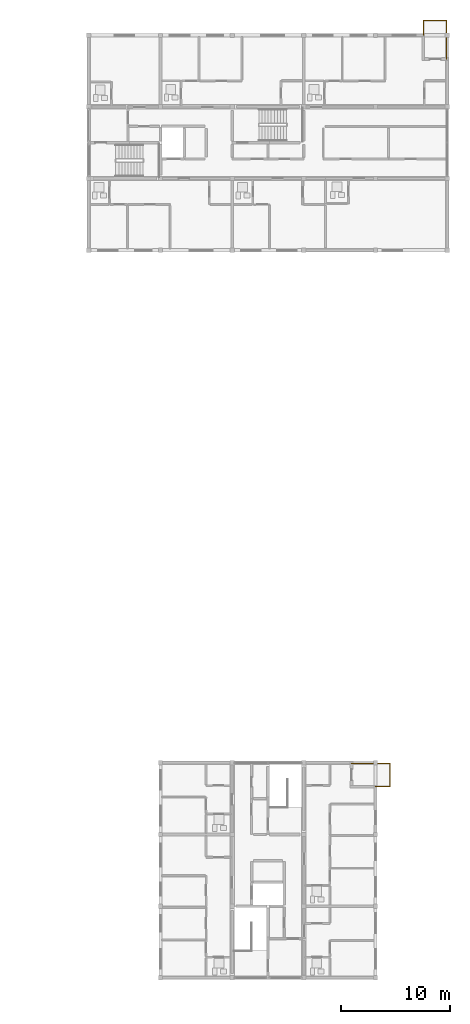
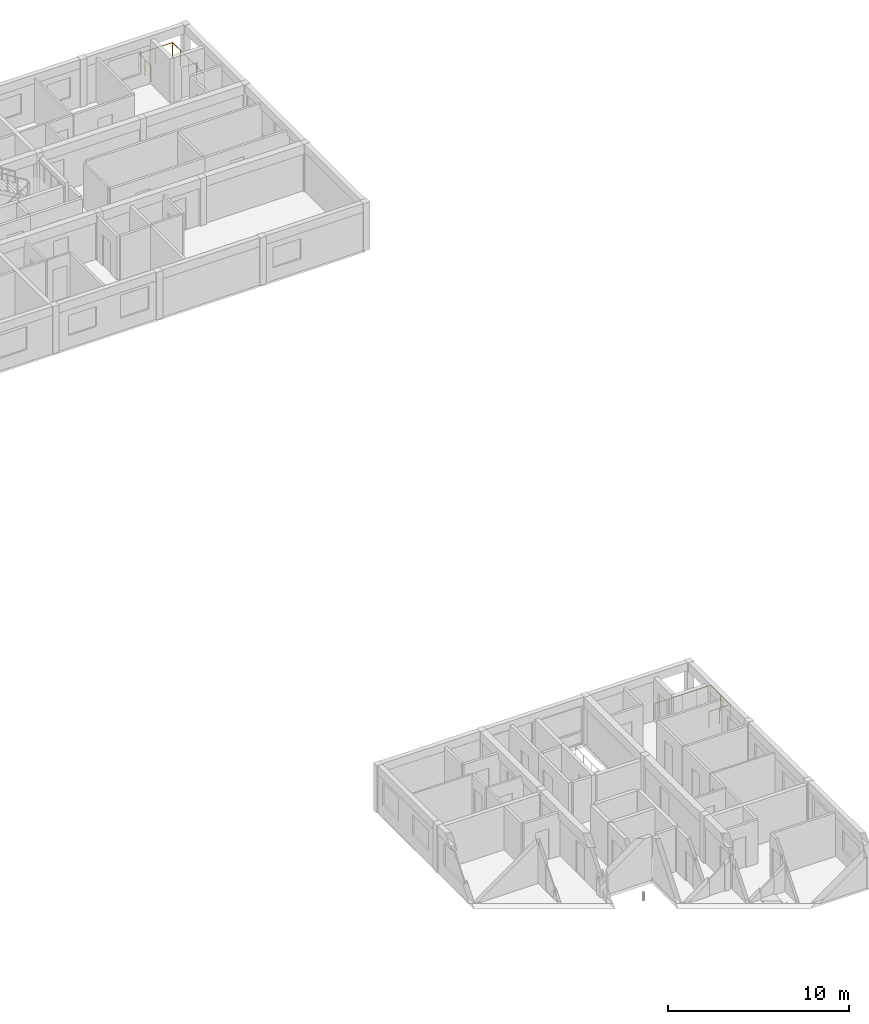
# One storey, part 33 of 34: 2 railings.
"""IFC4 building model written with IfcOpenShell, lengths in metres."""

from ifc_helpers import new_model, si_unit, direction, frame, origin, origin_2d, place, context, subcontext, project, spatial, circle, extrude, material, type_object, element, save


model = new_model("IFC4")

# Units and contexts
model_context = context("Model", 3, precision=1e-05, world=origin(), true_north=direction((0.0, 1.0)))
body_context = subcontext(model_context, "Body", "Model", "MODEL_VIEW")
ifc_project = project(units=[si_unit("LENGTHUNIT", "METRE"), si_unit("AREAUNIT", "SQUARE_METRE"), si_unit("VOLUMEUNIT", "CUBIC_METRE"), si_unit("PLANEANGLEUNIT", "RADIAN"), si_unit("MASSUNIT", "GRAM", prefix="KILO")], contexts=[model_context])

# Site, building, storey
site_placement = place(None, origin())
site = spatial("IfcSite", under=ifc_project, at=site_placement, CompositionType="ELEMENT")
building_placement = place(site_placement, origin())
building = spatial("IfcBuilding", under=site, at=building_placement, Name="Kernevlak Ridge Housing Community", CompositionType="ELEMENT")
storey_placement = place(building_placement, frame((0.0, 0.0, 40.39990234375)))
storey = spatial("IfcBuildingStorey", under=building, at=storey_placement, Name="L12", CompositionType="ELEMENT", Elevation=40.39990234375)

# Railings
ifc_material = material(Name="Steel S355", Category="steel")
railing_type = type_object("IfcRailingType", Name="BL-01", PredefinedType="BALUSTRADE", material=ifc_material)
railing_1_placement = place(storey_placement, frame((150.199951171875, 102.39990234375, 0.0)))
element("IfcRailing", 1, at=railing_1_placement, inside=storey, type_object=railing_type, Name="Block B L12 balcony balustrade BL-01 30", PredefinedType="BALUSTRADE", context=body_context, shape_type="SweptSolid", body=[
    extrude(circle(Radius=0.02392578125, at=origin_2d()), frame((0.0, 0.0, 1.076171875), z_axis=(0.0, 1.0, 0.0), x_axis=(-1.0, 0.0, 0.0)), (0.0, 0.0, 1.0), 1.35009765625),
    extrude(circle(Radius=0.02392578125, at=origin_2d()), frame((0.0, 1.35009765625, 1.076171875), z_axis=(1.0, 0.0, 0.0), x_axis=(0.0, 1.0, 0.0)), (0.0, 0.0, 1.0), 2.150146484375),
    extrude(circle(Radius=0.02392578125, at=origin_2d()), frame((2.150146484375, 1.35009765625, 1.076171875), z_axis=(0.0, -1.0, 0.0), x_axis=(1.0, 0.0, 0.0)), (0.0, 0.0, 1.0), 3.550048828125),
    extrude(circle(Radius=0.02099609375, at=origin_2d()), origin(), (0.0, 0.0, 1.0), 1.052001953125),
    extrude(circle(Radius=0.02099609375, at=origin_2d()), frame((0.0, 0.675048828125, 0.0)), (0.0, 0.0, 1.0), 1.052001953125),
    extrude(circle(Radius=0.02099609375, at=origin_2d()), frame((0.0, 1.35009765625, 0.0)), (0.0, 0.0, 1.0), 1.052001953125),
    extrude(circle(Radius=0.02099609375, at=origin_2d()), frame((1.0751953125, 1.35009765625, 0.0)), (0.0, 0.0, 1.0), 1.052001953125),
    extrude(circle(Radius=0.02099609375, at=origin_2d()), frame((2.150146484375, 1.35009765625, 0.0)), (0.0, 0.0, 1.0), 1.052001953125),
    extrude(circle(Radius=0.02099609375, at=origin_2d()), frame((2.150146484375, 0.462646484375, 0.0)), (0.0, 0.0, 1.0), 1.052001953125),
    extrude(circle(Radius=0.02099609375, at=origin_2d()), frame((2.150146484375, -0.4248046875, 0.0)), (0.0, 0.0, 1.0), 1.052001953125),
    extrude(circle(Radius=0.02099609375, at=origin_2d()), frame((2.150146484375, -1.3125, 0.0)), (0.0, 0.0, 1.0), 1.052001953125),
    extrude(circle(Radius=0.02099609375, at=origin_2d()), frame((2.150146484375, -2.199951171875, 0.0)), (0.0, 0.0, 1.0), 1.052001953125),
])
railing_2_placement = place(storey_placement, frame((145.800048828125, 33.199951171875, 0.0)))
element("IfcRailing", 2, at=railing_2_placement, inside=storey, type_object=railing_type, Name="Block C L12 balcony balustrade BL-01 46", PredefinedType="BALUSTRADE", context=body_context, shape_type="SweptSolid", body=[
    extrude(circle(Radius=0.02392578125, at=origin_2d()), frame((0.0, 0.0, 1.076171875), z_axis=(1.0, 0.0, 0.0), x_axis=(0.0, 1.0, 0.0)), (0.0, 0.0, 1.0), 1.349853515625),
    extrude(circle(Radius=0.02392578125, at=origin_2d()), frame((1.349853515625, 0.0, 1.076171875), z_axis=(0.0, 1.0, 0.0), x_axis=(-1.0, 0.0, 0.0)), (0.0, 0.0, 1.0), 2.150146484375),
    extrude(circle(Radius=0.02392578125, at=origin_2d()), frame((1.349853515625, 2.150146484375, 1.076171875), z_axis=(-1.0, 0.0, 0.0), x_axis=(0.0, -1.0, 0.0)), (0.0, 0.0, 1.0), 3.5498046875),
    extrude(circle(Radius=0.02099609375, at=origin_2d()), origin(), (0.0, 0.0, 1.0), 1.052001953125),
    extrude(circle(Radius=0.02099609375, at=origin_2d()), frame((0.6748046875, 0.0, 0.0)), (0.0, 0.0, 1.0), 1.052001953125),
    extrude(circle(Radius=0.02099609375, at=origin_2d()), frame((1.349853515625, 0.0, 0.0)), (0.0, 0.0, 1.0), 1.052001953125),
    extrude(circle(Radius=0.02099609375, at=origin_2d()), frame((1.349853515625, 1.0751953125, 0.0)), (0.0, 0.0, 1.0), 1.052001953125),
    extrude(circle(Radius=0.02099609375, at=origin_2d()), frame((1.349853515625, 2.150146484375, 0.0)), (0.0, 0.0, 1.0), 1.052001953125),
    extrude(circle(Radius=0.02099609375, at=origin_2d()), frame((0.46240234375, 2.150146484375, 0.0)), (0.0, 0.0, 1.0), 1.052001953125),
    extrude(circle(Radius=0.02099609375, at=origin_2d()), frame((-0.425048828125, 2.150146484375, 0.0)), (0.0, 0.0, 1.0), 1.052001953125),
    extrude(circle(Radius=0.02099609375, at=origin_2d()), frame((-1.3125, 2.150146484375, 0.0)), (0.0, 0.0, 1.0), 1.052001953125),
    extrude(circle(Radius=0.02099609375, at=origin_2d()), frame((-2.199951171875, 2.150146484375, 0.0)), (0.0, 0.0, 1.0), 1.052001953125),
])

save(model, "model.ifc")
